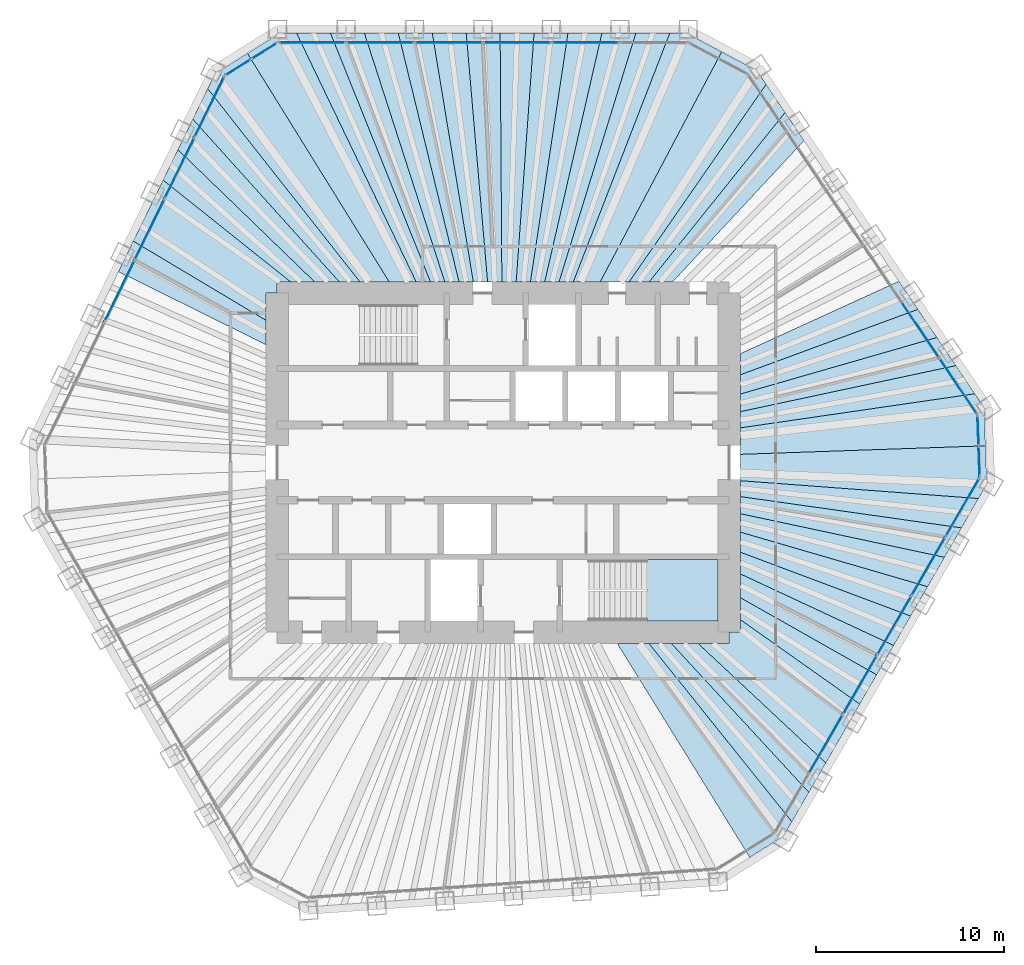
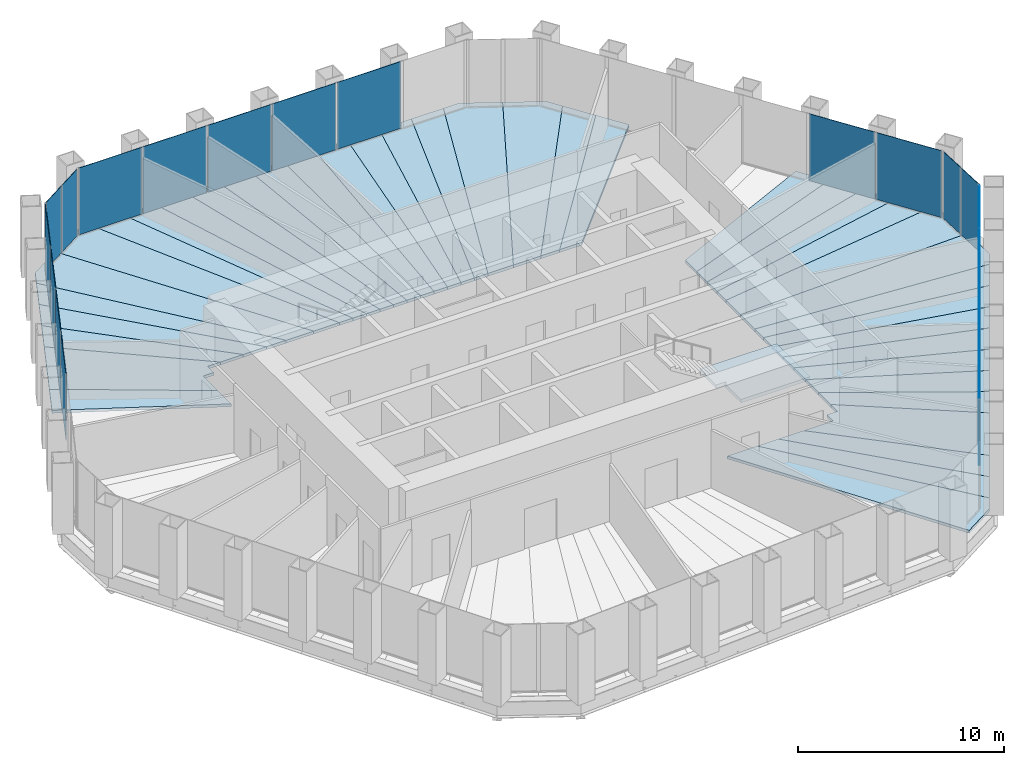
# One storey, part 9 of 14: 40 slabs, 20 plates, 7 elements without a shape of their own.
"""IFC4 building model written with IfcOpenShell, lengths in metres."""

from ifc_helpers import new_model, si_unit, direction, frame, origin, origin_2d, place, context, subcontext, project, spatial, polyline, rectangle, outline, extrude, material, layer, layer_set, type_object, element, aggregate, save


model = new_model("IFC4")

# Units and contexts
model_context = context("Model", 3, precision=1e-05, world=origin(), true_north=direction((0.0, 1.0)))
body_context = subcontext(model_context, "Body", "Model", "MODEL_VIEW")
ifc_project = project(units=[si_unit("LENGTHUNIT", "METRE"), si_unit("AREAUNIT", "SQUARE_METRE"), si_unit("VOLUMEUNIT", "CUBIC_METRE"), si_unit("PLANEANGLEUNIT", "RADIAN"), si_unit("MASSUNIT", "GRAM", prefix="KILO")], contexts=[model_context])

# Site, building, storey
site_placement = place(None, origin())
site = spatial("IfcSite", under=ifc_project, at=site_placement, CompositionType="ELEMENT")
building_placement = place(site_placement, origin())
building = spatial("IfcBuilding", under=site, at=building_placement, Name="Qingtian Harvest Tower", CompositionType="ELEMENT")
storey_placement = place(building_placement, frame((0.0, 0.0, 235.0)))
storey = spatial("IfcBuildingStorey", under=building, at=storey_placement, Name="L51", CompositionType="ELEMENT", Elevation=235.0)

# Slabs
ifc_material_1 = material(Name="Concrete fc' 35 MPa", Category="concrete")
ifc_layer_1 = layer(ifc_material_1, 0.169921875)
ifc_layer_set_1 = layer_set([ifc_layer_1], Name="Composite floor slab FS17 170")
slab_type_1 = type_object("IfcSlabType", Name="Composite floor slab FS17 170", PredefinedType="FLOOR", material=ifc_layer_set_1)
slab_1_placement = place(storey_placement, frame((0.0, 0.0, -0.169921875)))
element("IfcSlab", 1, at=slab_1_placement, inside=storey, type_object=slab_type_1, Name="Floor slab L51 panel D27", PredefinedType="FLOOR", context=body_context, shape_type="SweptSolid", body=[
    extrude(outline(polyline([(6.059326171875, -9.60009765625), (7.740966796875, -9.60009765625), (15.3271484375, -19.0625), (14.886962890625, -19.8251953125), (13.090576171875, -20.94775390625), (6.059326171875, -9.60009765625)])), origin(), (0.0, 0.0, 1.0), 0.169921875),
])
slab_2_placement = place(storey_placement, frame((0.0, 0.0, -0.169921875)))
element("IfcSlab", 2, at=slab_2_placement, inside=storey, type_object=slab_type_1, Name="Floor slab L51 panel D28", PredefinedType="FLOOR", context=body_context, shape_type="SweptSolid", body=[
    extrude(outline(polyline([(8.929443359375, -9.60009765625), (16.22802734375, -17.50244140625), (15.3271484375, -19.0625), (7.740966796875, -9.60009765625), (8.929443359375, -9.60009765625)])), origin(), (0.0, 0.0, 1.0), 0.169921875),
])
slab_3_placement = place(storey_placement, frame((0.0, 0.0, -0.169921875)))
element("IfcSlab", 3, at=slab_3_placement, inside=storey, type_object=slab_type_1, Name="Floor slab L51 panel D29", PredefinedType="FLOOR", context=body_context, shape_type="SweptSolid", body=[
    extrude(outline(polyline([(10.35205078125, -9.60009765625), (17.128662109375, -15.942138671875), (16.22802734375, -17.50244140625), (8.929443359375, -9.60009765625), (10.35205078125, -9.60009765625)])), origin(), (0.0, 0.0, 1.0), 0.169921875),
])
slab_4_placement = place(storey_placement, frame((0.0, 0.0, -0.169921875)))
element("IfcSlab", 4, at=slab_4_placement, inside=storey, type_object=slab_type_1, Name="Floor slab L51 panel D31", PredefinedType="FLOOR", context=body_context, shape_type="SweptSolid", body=[
    extrude(outline(polyline([(12.60009765625, -8.33984375), (18.931884765625, -12.819091796875), (17.128662109375, -15.942138671875), (10.35205078125, -9.60009765625), (12.0, -9.60009765625), (12.0, -9.0), (12.60009765625, -9.0), (12.60009765625, -8.33984375)])), origin(), (0.0, 0.0, 1.0), 0.169921875),
])
slab_5_placement = place(storey_placement, frame((0.0, 0.0, -0.169921875)))
element("IfcSlab", 5, at=slab_5_placement, inside=storey, type_object=slab_type_1, Name="Floor slab L51 panel D32", PredefinedType="FLOOR", context=body_context, shape_type="SweptSolid", body=[
    extrude(outline(polyline([(12.60009765625, -7.171142578125), (19.830322265625, -11.262939453125), (18.931884765625, -12.819091796875), (12.60009765625, -8.33984375), (12.60009765625, -7.171142578125)])), origin(), (0.0, 0.0, 1.0), 0.169921875),
])
slab_6_placement = place(storey_placement, frame((0.0, 0.0, -0.169921875)))
element("IfcSlab", 6, at=slab_6_placement, inside=storey, type_object=slab_type_1, Name="Floor slab L51 panel D33", PredefinedType="FLOOR", context=body_context, shape_type="SweptSolid", body=[
    extrude(outline(polyline([(12.60009765625, -5.91015625), (20.73095703125, -9.702880859375), (19.830322265625, -11.262939453125), (12.60009765625, -7.171142578125), (12.60009765625, -5.91015625)])), origin(), (0.0, 0.0, 1.0), 0.169921875),
])
slab_7_placement = place(storey_placement, frame((0.0, 0.0, -0.169921875)))
element("IfcSlab", 7, at=slab_7_placement, inside=storey, type_object=slab_type_1, Name="Floor slab L51 panel D34", PredefinedType="FLOOR", context=body_context, shape_type="SweptSolid", body=[
    extrude(outline(polyline([(12.60009765625, -4.75439453125), (21.6318359375, -8.142578125), (20.73095703125, -9.702880859375), (12.60009765625, -5.91015625), (12.60009765625, -4.75439453125)])), origin(), (0.0, 0.0, 1.0), 0.169921875),
])
slab_8_placement = place(storey_placement, frame((0.0, 0.0, -0.169921875)))
element("IfcSlab", 8, at=slab_8_placement, inside=storey, type_object=slab_type_1, Name="Floor slab L51 panel D35", PredefinedType="FLOOR", context=body_context, shape_type="SweptSolid", body=[
    extrude(outline(polyline([(12.60009765625, -3.691162109375), (22.532470703125, -6.58251953125), (21.6318359375, -8.142578125), (12.60009765625, -4.75439453125), (12.60009765625, -3.691162109375)])), origin(), (0.0, 0.0, 1.0), 0.169921875),
])
slab_9_placement = place(storey_placement, frame((0.0, 0.0, -0.169921875)))
element("IfcSlab", 9, at=slab_9_placement, inside=storey, type_object=slab_type_1, Name="Floor slab L51 panel D36", PredefinedType="FLOOR", context=body_context, shape_type="SweptSolid", body=[
    extrude(outline(polyline([(12.60009765625, -2.709716796875), (23.43310546875, -5.022705078125), (22.532470703125, -6.58251953125), (12.60009765625, -3.691162109375), (12.60009765625, -2.709716796875)])), origin(), (0.0, 0.0, 1.0), 0.169921875),
])
slab_10_placement = place(storey_placement, frame((0.0, 0.0, -0.169921875)))
element("IfcSlab", 10, at=slab_10_placement, inside=storey, type_object=slab_type_1, Name="Floor slab L51 panel D37", PredefinedType="FLOOR", context=body_context, shape_type="SweptSolid", body=[
    extrude(outline(polyline([(12.60009765625, -1.801025390625), (24.333740234375, -3.462646484375), (23.43310546875, -5.022705078125), (12.60009765625, -2.709716796875), (12.60009765625, -1.801025390625)])), origin(), (0.0, 0.0, 1.0), 0.169921875),
])
slab_11_placement = place(storey_placement, frame((0.0, 0.0, -0.169921875)))
element("IfcSlab", 11, at=slab_11_placement, inside=storey, type_object=slab_type_1, Name="Floor slab L51 panel D38", PredefinedType="FLOOR", context=body_context, shape_type="SweptSolid", body=[
    extrude(outline(polyline([(12.60009765625, -0.95703125), (25.234619140625, -1.902587890625), (24.333740234375, -3.462646484375), (12.60009765625, -1.801025390625), (12.60009765625, -0.95703125)])), origin(), (0.0, 0.0, 1.0), 0.169921875),
])
slab_12_placement = place(storey_placement, frame((0.0, 0.0, -0.169921875)))
element("IfcSlab", 12, at=slab_12_placement, inside=storey, type_object=slab_type_1, Name="Floor slab L51 panel D39", PredefinedType="FLOOR", context=body_context, shape_type="SweptSolid", body=[
    extrude(outline(polyline([(12.60009765625, -0.95703125), (12.60009765625, 0.442626953125), (25.603759765625, 0.89404296875), (25.6748046875, -1.139892578125), (25.234619140625, -1.902587890625), (12.60009765625, -0.95703125)])), origin(), (0.0, 0.0, 1.0), 0.169921875),
])
slab_13_placement = place(storey_placement, frame((0.0, 0.0, -0.169921875)))
element("IfcSlab", 13, at=slab_13_placement, inside=storey, type_object=slab_type_1, Name="Floor slab L51 panel D40", PredefinedType="FLOOR", context=body_context, shape_type="SweptSolid", body=[
    extrude(outline(polyline([(12.60009765625, 0.442626953125), (12.60009765625, 1.848876953125), (25.040283203125, 3.658203125), (25.53271484375, 2.92822265625), (25.603759765625, 0.89404296875), (12.60009765625, 0.442626953125)])), origin(), (0.0, 0.0, 1.0), 0.169921875),
])
slab_14_placement = place(storey_placement, frame((0.0, 0.0, -0.169921875)))
element("IfcSlab", 14, at=slab_14_placement, inside=storey, type_object=slab_type_1, Name="Floor slab L51 panel D41", PredefinedType="FLOOR", context=body_context, shape_type="SweptSolid", body=[
    extrude(outline(polyline([(12.60009765625, 2.710205078125), (24.032958984375, 5.151611328125), (25.040283203125, 3.658203125), (12.60009765625, 1.848876953125), (12.60009765625, 2.710205078125)])), origin(), (0.0, 0.0, 1.0), 0.169921875),
])
slab_15_placement = place(storey_placement, frame((0.0, 0.0, -0.169921875)))
element("IfcSlab", 15, at=slab_15_placement, inside=storey, type_object=slab_type_1, Name="Floor slab L51 panel D42", PredefinedType="FLOOR", context=body_context, shape_type="SweptSolid", body=[
    extrude(outline(polyline([(12.60009765625, 3.646728515625), (23.025634765625, 6.64501953125), (24.032958984375, 5.151611328125), (12.60009765625, 2.710205078125), (12.60009765625, 3.646728515625)])), origin(), (0.0, 0.0, 1.0), 0.169921875),
])
slab_16_placement = place(storey_placement, frame((0.0, 0.0, -0.169921875)))
element("IfcSlab", 16, at=slab_16_placement, inside=storey, type_object=slab_type_1, Name="Floor slab L51 panel D43", PredefinedType="FLOOR", context=body_context, shape_type="SweptSolid", body=[
    extrude(outline(polyline([(12.60009765625, 4.669189453125), (22.018310546875, 8.138427734375), (23.025634765625, 6.64501953125), (12.60009765625, 3.646728515625), (12.60009765625, 4.669189453125)])), origin(), (0.0, 0.0, 1.0), 0.169921875),
])
slab_17_placement = place(storey_placement, frame((0.0, 0.0, -0.169921875)))
element("IfcSlab", 17, at=slab_17_placement, inside=storey, type_object=slab_type_1, Name="Floor slab L51 panel D44", PredefinedType="FLOOR", context=body_context, shape_type="SweptSolid", body=[
    extrude(outline(polyline([(12.60009765625, 5.7900390625), (21.010986328125, 9.6318359375), (22.018310546875, 8.138427734375), (12.60009765625, 4.669189453125), (12.60009765625, 5.7900390625)])), origin(), (0.0, 0.0, 1.0), 0.169921875),
])
slab_18_placement = place(storey_placement, frame((0.0, 0.0, -0.169921875)))
element("IfcSlab", 18, at=slab_18_placement, inside=storey, type_object=slab_type_1, Name="Floor slab L51 panel D50", PredefinedType="FLOOR", context=body_context, shape_type="SweptSolid", body=[
    extrude(outline(polyline([(7.751220703125, 9.60009765625), (14.967529296875, 18.591796875), (15.974853515625, 17.098388671875), (8.998291015625, 9.60009765625), (7.751220703125, 9.60009765625)])), origin(), (0.0, 0.0, 1.0), 0.169921875),
])
slab_19_placement = place(storey_placement, frame((0.0, 0.0, -0.169921875)))
element("IfcSlab", 19, at=slab_19_placement, inside=storey, type_object=slab_type_1, Name="Floor slab L51 panel D51", PredefinedType="FLOOR", context=body_context, shape_type="SweptSolid", body=[
    extrude(outline(polyline([(6.6904296875, 9.60009765625), (13.960205078125, 20.085205078125), (14.967529296875, 18.591796875), (7.751220703125, 9.60009765625), (6.6904296875, 9.60009765625)])), origin(), (0.0, 0.0, 1.0), 0.169921875),
])
slab_20_placement = place(storey_placement, frame((0.0, 0.0, -0.169921875)))
element("IfcSlab", 20, at=slab_20_placement, inside=storey, type_object=slab_type_1, Name="Floor slab L51 panel D52", PredefinedType="FLOOR", context=body_context, shape_type="SweptSolid", body=[
    extrude(outline(polyline([(6.6904296875, 9.60009765625), (5.15185546875, 9.60009765625), (11.59716796875, 21.809814453125), (13.4677734375, 20.8154296875), (13.960205078125, 20.085205078125), (6.6904296875, 9.60009765625)])), origin(), (0.0, 0.0, 1.0), 0.169921875),
])
slab_21_placement = place(storey_placement, frame((0.0, 0.0, -0.169921875)))
element("IfcSlab", 21, at=slab_21_placement, inside=storey, type_object=slab_type_1, Name="Floor slab L51 panel D53", PredefinedType="FLOOR", context=body_context, shape_type="SweptSolid", body=[
    extrude(outline(polyline([(3.7236328125, 9.60009765625), (8.84521484375, 22.804931640625), (9.7255859375, 22.804931640625), (11.59716796875, 21.809814453125), (5.15185546875, 9.60009765625), (3.7236328125, 9.60009765625)])), origin(), (0.0, 0.0, 1.0), 0.169921875),
])
slab_22_placement = place(storey_placement, frame((0.0, 0.0, -0.169921875)))
element("IfcSlab", 22, at=slab_22_placement, inside=storey, type_object=slab_type_1, Name="Floor slab L51 panel D54", PredefinedType="FLOOR", context=body_context, shape_type="SweptSolid", body=[
    extrude(outline(polyline([(2.96533203125, 9.60009765625), (7.0439453125, 22.804931640625), (8.84521484375, 22.804931640625), (3.7236328125, 9.60009765625), (2.96533203125, 9.60009765625)])), origin(), (0.0, 0.0, 1.0), 0.169921875),
])
slab_23_placement = place(storey_placement, frame((0.0, 0.0, -0.169921875)))
element("IfcSlab", 23, at=slab_23_placement, inside=storey, type_object=slab_type_1, Name="Floor slab L51 panel D55", PredefinedType="FLOOR", context=body_context, shape_type="SweptSolid", body=[
    extrude(outline(polyline([(2.206787109375, 9.60009765625), (5.242431640625, 22.804931640625), (7.0439453125, 22.804931640625), (2.96533203125, 9.60009765625), (2.206787109375, 9.60009765625)])), origin(), (0.0, 0.0, 1.0), 0.169921875),
])
slab_24_placement = place(storey_placement, frame((0.0, 0.0, -0.169921875)))
element("IfcSlab", 24, at=slab_24_placement, inside=storey, type_object=slab_type_1, Name="Floor slab L51 panel D56", PredefinedType="FLOOR", context=body_context, shape_type="SweptSolid", body=[
    extrude(outline(polyline([(1.448486328125, 9.60009765625), (3.441162109375, 22.804931640625), (5.242431640625, 22.804931640625), (2.206787109375, 9.60009765625), (1.448486328125, 9.60009765625)])), origin(), (0.0, 0.0, 1.0), 0.169921875),
])
slab_25_placement = place(storey_placement, frame((0.0, 0.0, -0.169921875)))
element("IfcSlab", 25, at=slab_25_placement, inside=storey, type_object=slab_type_1, Name="Floor slab L51 panel D57", PredefinedType="FLOOR", context=body_context, shape_type="SweptSolid", body=[
    extrude(outline(polyline([(0.690185546875, 9.60009765625), (1.639892578125, 22.804931640625), (3.441162109375, 22.804931640625), (1.448486328125, 9.60009765625), (0.690185546875, 9.60009765625)])), origin(), (0.0, 0.0, 1.0), 0.169921875),
])
slab_26_placement = place(storey_placement, frame((0.0, 0.0, -0.169921875)))
element("IfcSlab", 26, at=slab_26_placement, inside=storey, type_object=slab_type_1, Name="Floor slab L51 panel D58", PredefinedType="FLOOR", context=body_context, shape_type="SweptSolid", body=[
    extrude(outline(polyline([(-0.068115234375, 9.60009765625), (-0.16162109375, 22.804931640625), (1.639892578125, 22.804931640625), (0.690185546875, 9.60009765625), (-0.068115234375, 9.60009765625)])), origin(), (0.0, 0.0, 1.0), 0.169921875),
])
slab_27_placement = place(storey_placement, frame((0.0, 0.0, -0.169921875)))
element("IfcSlab", 27, at=slab_27_placement, inside=storey, type_object=slab_type_1, Name="Floor slab L51 panel D59", PredefinedType="FLOOR", context=body_context, shape_type="SweptSolid", body=[
    extrude(outline(polyline([(-0.826416015625, 9.60009765625), (-1.962890625, 22.804931640625), (-0.16162109375, 22.804931640625), (-0.068115234375, 9.60009765625), (-0.826416015625, 9.60009765625)])), origin(), (0.0, 0.0, 1.0), 0.169921875),
])
slab_28_placement = place(storey_placement, frame((0.0, 0.0, -0.169921875)))
element("IfcSlab", 28, at=slab_28_placement, inside=storey, type_object=slab_type_1, Name="Floor slab L51 panel D60", PredefinedType="FLOOR", context=body_context, shape_type="SweptSolid", body=[
    extrude(outline(polyline([(-1.584716796875, 9.60009765625), (-3.764404296875, 22.804931640625), (-1.962890625, 22.804931640625), (-0.826416015625, 9.60009765625), (-1.584716796875, 9.60009765625)])), origin(), (0.0, 0.0, 1.0), 0.169921875),
])
slab_29_placement = place(storey_placement, frame((0.0, 0.0, -0.169921875)))
element("IfcSlab", 29, at=slab_29_placement, inside=storey, type_object=slab_type_1, Name="Floor slab L51 panel D61", PredefinedType="FLOOR", context=body_context, shape_type="SweptSolid", body=[
    extrude(outline(polyline([(-2.343017578125, 9.60009765625), (-5.565673828125, 22.804931640625), (-3.764404296875, 22.804931640625), (-1.584716796875, 9.60009765625), (-2.343017578125, 9.60009765625)])), origin(), (0.0, 0.0, 1.0), 0.169921875),
])
slab_30_placement = place(storey_placement, frame((0.0, 0.0, -0.169921875)))
element("IfcSlab", 30, at=slab_30_placement, inside=storey, type_object=slab_type_1, Name="Floor slab L51 panel D62", PredefinedType="FLOOR", context=body_context, shape_type="SweptSolid", body=[
    extrude(outline(polyline([(-3.101318359375, 9.60009765625), (-7.366943359375, 22.804931640625), (-5.565673828125, 22.804931640625), (-2.343017578125, 9.60009765625), (-3.101318359375, 9.60009765625)])), origin(), (0.0, 0.0, 1.0), 0.169921875),
])
slab_31_placement = place(storey_placement, frame((0.0, 0.0, -0.169921875)))
element("IfcSlab", 31, at=slab_31_placement, inside=storey, type_object=slab_type_1, Name="Floor slab L51 panel D63", PredefinedType="FLOOR", context=body_context, shape_type="SweptSolid", body=[
    extrude(outline(polyline([(-3.859619140625, 9.60009765625), (-9.16845703125, 22.804931640625), (-7.366943359375, 22.804931640625), (-3.101318359375, 9.60009765625), (-3.859619140625, 9.60009765625)])), origin(), (0.0, 0.0, 1.0), 0.169921875),
])
slab_32_placement = place(storey_placement, frame((0.0, 0.0, -0.169921875)))
element("IfcSlab", 32, at=slab_32_placement, inside=storey, type_object=slab_type_1, Name="Floor slab L51 panel D64", PredefinedType="FLOOR", context=body_context, shape_type="SweptSolid", body=[
    extrude(outline(polyline([(-4.617919921875, 9.60009765625), (-10.9697265625, 22.804931640625), (-9.16845703125, 22.804931640625), (-3.859619140625, 9.60009765625), (-4.617919921875, 9.60009765625)])), origin(), (0.0, 0.0, 1.0), 0.169921875),
])
slab_33_placement = place(storey_placement, frame((0.0, 0.0, -0.169921875)))
element("IfcSlab", 33, at=slab_33_placement, inside=storey, type_object=slab_type_1, Name="Floor slab L51 panel D65", PredefinedType="FLOOR", context=body_context, shape_type="SweptSolid", body=[
    extrude(outline(polyline([(-4.617919921875, 9.60009765625), (-6.050537109375, 9.60009765625), (-13.57666015625, 21.72607421875), (-11.85009765625, 22.804931640625), (-10.9697265625, 22.804931640625), (-4.617919921875, 9.60009765625)])), origin(), (0.0, 0.0, 1.0), 0.169921875),
])
slab_34_placement = place(storey_placement, frame((0.0, 0.0, -0.169921875)))
element("IfcSlab", 34, at=slab_34_placement, inside=storey, type_object=slab_type_1, Name="Floor slab L51 panel D66", PredefinedType="FLOOR", context=body_context, shape_type="SweptSolid", body=[
    extrude(outline(polyline([(-6.050537109375, 9.60009765625), (-7.60498046875, 9.60009765625), (-15.688232421875, 19.8564453125), (-15.30224609375, 20.64794921875), (-13.57666015625, 21.72607421875), (-6.050537109375, 9.60009765625)])), origin(), (0.0, 0.0, 1.0), 0.169921875),
])
slab_35_placement = place(storey_placement, frame((0.0, 0.0, -0.169921875)))
element("IfcSlab", 35, at=slab_35_placement, inside=storey, type_object=slab_type_1, Name="Floor slab L51 panel D67", PredefinedType="FLOOR", context=body_context, shape_type="SweptSolid", body=[
    extrude(outline(polyline([(-8.699951171875, 9.60009765625), (-16.47802734375, 18.2373046875), (-15.688232421875, 19.8564453125), (-7.60498046875, 9.60009765625), (-8.699951171875, 9.60009765625)])), origin(), (0.0, 0.0, 1.0), 0.169921875),
])
slab_36_placement = place(storey_placement, frame((0.0, 0.0, -0.169921875)))
element("IfcSlab", 36, at=slab_36_placement, inside=storey, type_object=slab_type_1, Name="Floor slab L51 panel D68", PredefinedType="FLOOR", context=body_context, shape_type="SweptSolid", body=[
    extrude(outline(polyline([(-10.009765625, 9.60009765625), (-17.267822265625, 16.6181640625), (-16.47802734375, 18.2373046875), (-8.699951171875, 9.60009765625), (-10.009765625, 9.60009765625)])), origin(), (0.0, 0.0, 1.0), 0.169921875),
])
slab_37_placement = place(storey_placement, frame((0.0, 0.0, -0.169921875)))
element("IfcSlab", 37, at=slab_37_placement, inside=storey, type_object=slab_type_1, Name="Floor slab L51 panel D69", PredefinedType="FLOOR", context=body_context, shape_type="SweptSolid", body=[
    extrude(outline(polyline([(-11.28759765625, 9.60009765625), (-18.055419921875, 15.003173828125), (-17.267822265625, 16.6181640625), (-10.009765625, 9.60009765625), (-11.28759765625, 9.60009765625)])), origin(), (0.0, 0.0, 1.0), 0.169921875),
])
slab_38_placement = place(storey_placement, frame((0.0, 0.0, -0.169921875)))
element("IfcSlab", 38, at=slab_38_placement, inside=storey, type_object=slab_type_1, Name="Floor slab L51 panel D70", PredefinedType="FLOOR", context=body_context, shape_type="SweptSolid", body=[
    extrude(outline(polyline([(-12.0, 9.0), (-12.60009765625, 9.0), (-12.60009765625, 7.560302734375), (-19.636474609375, 11.761474609375), (-18.055419921875, 15.003173828125), (-11.28759765625, 9.60009765625), (-12.0, 9.60009765625), (-12.0, 9.0)])), origin(), (0.0, 0.0, 1.0), 0.169921875),
])
slab_39_placement = place(storey_placement, frame((0.0, 0.0, -0.169921875)))
element("IfcSlab", 39, at=slab_39_placement, inside=storey, type_object=slab_type_1, Name="Floor slab L51 panel D72", PredefinedType="FLOOR", context=body_context, shape_type="SweptSolid", body=[
    extrude(outline(polyline([(-12.60009765625, 6.268310546875), (-20.426025390625, 10.142578125), (-19.636474609375, 11.761474609375), (-12.60009765625, 7.560302734375), (-12.60009765625, 6.268310546875)])), origin(), (0.0, 0.0, 1.0), 0.169921875),
])

# Curtain wall, plates
ifc_material_2 = material(Name="Bronze-anodised aluminium curtain wall", Category="aluminium")
curtain_wall_type = type_object("IfcCurtainWallType", Name="Curtain wall CW4 office", PredefinedType="USERDEFINED", material=ifc_material_2)
curtain_wall_1_placement = place(storey_placement, origin())
curtain_wall_1 = element("IfcCurtainWall", 40, at=curtain_wall_1_placement, inside=storey, type_object=curtain_wall_type, Name="Curtain wall CW4 L51 N0-5", ObjectType="RECESSED CURTAIN WALL", PredefinedType="USERDEFINED")
ifc_material_3 = material(Name="Bronze-tinted laminated insulating glass", Category="glass")
ifc_layer_2 = layer(ifc_material_3, 0.030029296875)
ifc_layer_set_2 = layer_set([ifc_layer_2], Name="Glazed panel CWP tinted IGU")
plate_type = type_object("IfcPlateType", Name="Glazed panel CWP tinted IGU", PredefinedType="CURTAIN_PANEL", material=ifc_layer_set_2)
plate_1_placement = place(storey_placement, frame((-10.138916015625, 22.300048828125, 0.06494140625), z_axis=(0.0, 0.0, 1.0), x_axis=(1.0, 0.0, 0.0)))
plate_1 = element("IfcPlate", 41, at=plate_1_placement, type_object=plate_type, Name="CW4 panel 1.1", PredefinedType="CURTAIN_PANEL", context=body_context, shape_type="SweptSolid", body=[
    extrude(rectangle(XDim=3.5361328125, YDim=0.030029296875, at=origin_2d()), origin(), (0.0, 0.0, 1.0), 3.965087890625),
])
plate_2_placement = place(storey_placement, frame((-6.521728515625, 22.300048828125, 0.06494140625), z_axis=(0.0, 0.0, 1.0), x_axis=(1.0, 0.0, 0.0)))
plate_2 = element("IfcPlate", 42, at=plate_2_placement, type_object=plate_type, Name="CW4 panel 2.1", PredefinedType="CURTAIN_PANEL", context=body_context, shape_type="SweptSolid", body=[
    extrude(rectangle(XDim=3.568603515625, YDim=0.030029296875, at=origin_2d()), origin(), (0.0, 0.0, 1.0), 3.965087890625),
])
plate_3_placement = place(storey_placement, frame((-2.88818359375, 22.300048828125, 0.06494140625), z_axis=(0.0, 0.0, 1.0), x_axis=(1.0, 0.0, 0.0)))
plate_3 = element("IfcPlate", 43, at=plate_3_placement, type_object=plate_type, Name="CW4 panel 3.1", PredefinedType="CURTAIN_PANEL", context=body_context, shape_type="SweptSolid", body=[
    extrude(rectangle(XDim=3.568603515625, YDim=0.030029296875, at=origin_2d()), origin(), (0.0, 0.0, 1.0), 3.965087890625),
])
plate_4_placement = place(storey_placement, frame((0.745361328125, 22.300048828125, 0.06494140625), z_axis=(0.0, 0.0, 1.0), x_axis=(1.0, 0.0, 0.0)))
plate_4 = element("IfcPlate", 44, at=plate_4_placement, type_object=plate_type, Name="CW4 panel 4.1", PredefinedType="CURTAIN_PANEL", context=body_context, shape_type="SweptSolid", body=[
    extrude(rectangle(XDim=3.568603515625, YDim=0.030029296875, at=origin_2d()), origin(), (0.0, 0.0, 1.0), 3.965087890625),
])
plate_5_placement = place(storey_placement, frame((4.37890625, 22.300048828125, 0.06494140625), z_axis=(0.0, 0.0, 1.0), x_axis=(1.0, 0.0, 0.0)))
plate_5 = element("IfcPlate", 45, at=plate_5_placement, type_object=plate_type, Name="CW4 panel 5.1", PredefinedType="CURTAIN_PANEL", context=body_context, shape_type="SweptSolid", body=[
    extrude(rectangle(XDim=3.568603515625, YDim=0.030029296875, at=origin_2d()), origin(), (0.0, 0.0, 1.0), 3.965087890625),
])
aggregate(curtain_wall_1, [plate_1, plate_2, plate_3, plate_4, plate_5])

curtain_wall_2_placement = place(storey_placement, origin())
curtain_wall_2 = element("IfcCurtainWall", 46, at=curtain_wall_2_placement, inside=storey, type_object=curtain_wall_type, Name="Curtain wall CW4 L51 NE0-5", ObjectType="RECESSED CURTAIN WALL", PredefinedType="USERDEFINED")
plate_6_placement = place(storey_placement, frame((22.134521484375, 7.063232421875, 0.06494140625), z_axis=(0.0, 0.0, 1.0), x_axis=(0.559192903471, -0.829037572555, 0.0)))
plate_6 = element("IfcPlate", 47, at=plate_6_placement, type_object=plate_type, Name="CW4 panel 5.1", PredefinedType="CURTAIN_PANEL", context=body_context, shape_type="SweptSolid", body=[
    extrude(rectangle(XDim=3.568603515625, YDim=0.030029296875, at=origin_2d()), origin(), (0.0, 0.0, 1.0), 3.965087890625),
])
plate_7_placement = place(storey_placement, frame((24.1572265625, 4.064453125, 0.06494140625), z_axis=(0.0, 0.0, 1.0), x_axis=(0.559192903471, -0.829037572555, 0.0)))
plate_7 = element("IfcPlate", 48, at=plate_7_placement, type_object=plate_type, Name="CW4 panel 6.1", PredefinedType="CURTAIN_PANEL", context=body_context, shape_type="SweptSolid", body=[
    extrude(rectangle(XDim=3.5361328125, YDim=0.030029296875, at=origin_2d()), origin(), (0.0, 0.0, 1.0), 3.965087890625),
])
aggregate(curtain_wall_2, [plate_6, plate_7])

curtain_wall_3_placement = place(storey_placement, origin())
curtain_wall_3 = element("IfcCurtainWall", 49, at=curtain_wall_3_placement, inside=storey, type_object=curtain_wall_type, Name="Curtain wall CW4 L51 NEC", ObjectType="RECESSED CURTAIN WALL", PredefinedType="USERDEFINED")
plate_8_placement = place(storey_placement, frame((25.2119140625, 1.69677734375, 0.06494140625), z_axis=(0.0, 0.0, 1.0), x_axis=(0.034899496703, -0.999390827019, 0.0)))
plate_8 = element("IfcPlate", 50, at=plate_8_placement, type_object=plate_type, Name="CW4 panel 1.1", PredefinedType="CURTAIN_PANEL", context=body_context, shape_type="SweptSolid", body=[
    extrude(rectangle(XDim=1.56689453125, YDim=0.030029296875, at=origin_2d()), origin(), (0.0, 0.0, 1.0), 3.965087890625),
])
plate_9_placement = place(storey_placement, frame((25.268798828125, 0.06591796875, 0.06494140625), z_axis=(0.0, 0.0, 1.0), x_axis=(0.034899496703, -0.999390827019, 0.0)))
plate_9 = element("IfcPlate", 51, at=plate_9_placement, type_object=plate_type, Name="CW4 panel 2.1", PredefinedType="CURTAIN_PANEL", context=body_context, shape_type="SweptSolid", body=[
    extrude(rectangle(XDim=1.56689453125, YDim=0.030029296875, at=origin_2d()), origin(), (0.0, 0.0, 1.0), 3.965087890625),
])
aggregate(curtain_wall_3, [plate_8, plate_9])

curtain_wall_4_placement = place(storey_placement, origin())
curtain_wall_4 = element("IfcCurtainWall", 52, at=curtain_wall_4_placement, inside=storey, type_object=curtain_wall_type, Name="Curtain wall CW4 L51 SE0-5", ObjectType="RECESSED CURTAIN WALL", PredefinedType="USERDEFINED")
plate_10_placement = place(storey_placement, frame((24.3818359375, -2.369384765625, 0.06494140625), z_axis=(0.0, 0.0, 1.0), x_axis=(-0.5, -0.866025403784, 0.0)))
plate_10 = element("IfcPlate", 53, at=plate_10_placement, type_object=plate_type, Name="CW4 panel 1.1", PredefinedType="CURTAIN_PANEL", context=body_context, shape_type="SweptSolid", body=[
    extrude(rectangle(XDim=3.5361328125, YDim=0.030029296875, at=origin_2d()), origin(), (0.0, 0.0, 1.0), 3.965087890625),
])
plate_11_placement = place(storey_placement, frame((22.5732421875, -5.501953125, 0.06494140625), z_axis=(0.0, 0.0, 1.0), x_axis=(-0.5, -0.866025403784, 0.0)))
plate_11 = element("IfcPlate", 54, at=plate_11_placement, type_object=plate_type, Name="CW4 panel 2.1", PredefinedType="CURTAIN_PANEL", context=body_context, shape_type="SweptSolid", body=[
    extrude(rectangle(XDim=3.568603515625, YDim=0.030029296875, at=origin_2d()), origin(), (0.0, 0.0, 1.0), 3.965087890625),
])
plate_12_placement = place(storey_placement, frame((20.75634765625, -8.64892578125, 0.06494140625), z_axis=(0.0, 0.0, 1.0), x_axis=(-0.5, -0.866025403784, 0.0)))
plate_12 = element("IfcPlate", 55, at=plate_12_placement, type_object=plate_type, Name="CW4 panel 3.1", PredefinedType="CURTAIN_PANEL", context=body_context, shape_type="SweptSolid", body=[
    extrude(rectangle(XDim=3.568603515625, YDim=0.030029296875, at=origin_2d()), origin(), (0.0, 0.0, 1.0), 3.965087890625),
])
plate_13_placement = place(storey_placement, frame((18.939697265625, -11.795654296875, 0.06494140625), z_axis=(0.0, 0.0, 1.0), x_axis=(-0.5, -0.866025403784, 0.0)))
plate_13 = element("IfcPlate", 56, at=plate_13_placement, type_object=plate_type, Name="CW4 panel 4.1", PredefinedType="CURTAIN_PANEL", context=body_context, shape_type="SweptSolid", body=[
    extrude(rectangle(XDim=3.568603515625, YDim=0.030029296875, at=origin_2d()), origin(), (0.0, 0.0, 1.0), 3.965087890625),
])
plate_14_placement = place(storey_placement, frame((17.122802734375, -14.9423828125, 0.06494140625), z_axis=(0.0, 0.0, 1.0), x_axis=(-0.5, -0.866025403784, 0.0)))
plate_14 = element("IfcPlate", 57, at=plate_14_placement, type_object=plate_type, Name="CW4 panel 5.1", PredefinedType="CURTAIN_PANEL", context=body_context, shape_type="SweptSolid", body=[
    extrude(rectangle(XDim=3.568603515625, YDim=0.030029296875, at=origin_2d()), origin(), (0.0, 0.0, 1.0), 3.965087890625),
])
aggregate(curtain_wall_4, [plate_10, plate_11, plate_12, plate_13, plate_14])

curtain_wall_5_placement = place(storey_placement, origin())
curtain_wall_5 = element("IfcCurtainWall", 58, at=curtain_wall_5_placement, inside=storey, type_object=curtain_wall_type, Name="Curtain wall CW4 L51 NW0-5", ObjectType="RECESSED CURTAIN WALL", PredefinedType="USERDEFINED")
plate_15_placement = place(storey_placement, frame((-20.369873046875, 9.105712890625, 0.06494140625), z_axis=(0.0, 0.0, 1.0), x_axis=(0.438371146789, 0.898794046299, 0.0)))
plate_15 = element("IfcPlate", 59, at=plate_15_placement, type_object=plate_type, Name="CW4 panel 3.1", PredefinedType="CURTAIN_PANEL", context=body_context, shape_type="SweptSolid", body=[
    extrude(rectangle(XDim=3.568603515625, YDim=0.030029296875, at=origin_2d()), origin(), (0.0, 0.0, 1.0), 3.965087890625),
])
plate_16_placement = place(storey_placement, frame((-18.777099609375, 12.37158203125, 0.06494140625), z_axis=(0.0, 0.0, 1.0), x_axis=(0.438371146789, 0.898794046299, 0.0)))
plate_16 = element("IfcPlate", 60, at=plate_16_placement, type_object=plate_type, Name="CW4 panel 4.1", PredefinedType="CURTAIN_PANEL", context=body_context, shape_type="SweptSolid", body=[
    extrude(rectangle(XDim=3.568603515625, YDim=0.030029296875, at=origin_2d()), origin(), (0.0, 0.0, 1.0), 3.965087890625),
])
plate_17_placement = place(storey_placement, frame((-17.18408203125, 15.63720703125, 0.06494140625), z_axis=(0.0, 0.0, 1.0), x_axis=(0.438371146789, 0.898794046299, 0.0)))
plate_17 = element("IfcPlate", 61, at=plate_17_placement, type_object=plate_type, Name="CW4 panel 5.1", PredefinedType="CURTAIN_PANEL", context=body_context, shape_type="SweptSolid", body=[
    extrude(rectangle(XDim=3.568603515625, YDim=0.030029296875, at=origin_2d()), origin(), (0.0, 0.0, 1.0), 3.965087890625),
])
plate_18_placement = place(storey_placement, frame((-15.598388671875, 18.888427734375, 0.06494140625), z_axis=(0.0, 0.0, 1.0), x_axis=(0.438371146789, 0.898794046299, 0.0)))
plate_18 = element("IfcPlate", 62, at=plate_18_placement, type_object=plate_type, Name="CW4 panel 6.1", PredefinedType="CURTAIN_PANEL", context=body_context, shape_type="SweptSolid", body=[
    extrude(rectangle(XDim=3.5361328125, YDim=0.030029296875, at=origin_2d()), origin(), (0.0, 0.0, 1.0), 3.965087890625),
])
aggregate(curtain_wall_5, [plate_15, plate_16, plate_17, plate_18])

curtain_wall_6_placement = place(storey_placement, origin())
curtain_wall_6 = element("IfcCurtainWall", 63, at=curtain_wall_6_placement, inside=storey, type_object=curtain_wall_type, Name="Curtain wall CW4 L51 NWC", ObjectType="RECESSED CURTAIN WALL", PredefinedType="USERDEFINED")
plate_19_placement = place(storey_placement, frame((-14.075439453125, 20.985595703125, 0.06494140625), z_axis=(0.0, 0.0, 1.0), x_axis=(0.848048096156, 0.529919264233, 0.0)))
plate_19 = element("IfcPlate", 64, at=plate_19_placement, type_object=plate_type, Name="CW4 panel 1.1", PredefinedType="CURTAIN_PANEL", context=body_context, shape_type="SweptSolid", body=[
    extrude(rectangle(XDim=1.56689453125, YDim=0.030029296875, at=origin_2d()), origin(), (0.0, 0.0, 1.0), 3.965087890625),
])
plate_20_placement = place(storey_placement, frame((-12.69140625, 21.850341796875, 0.06494140625), z_axis=(0.0, 0.0, 1.0), x_axis=(0.848048096156, 0.529919264233, 0.0)))
plate_20 = element("IfcPlate", 65, at=plate_20_placement, type_object=plate_type, Name="CW4 panel 2.1", PredefinedType="CURTAIN_PANEL", context=body_context, shape_type="SweptSolid", body=[
    extrude(rectangle(XDim=1.56689453125, YDim=0.030029296875, at=origin_2d()), origin(), (0.0, 0.0, 1.0), 3.965087890625),
])
aggregate(curtain_wall_6, [plate_19, plate_20])

# Stair, slab
ifc_material_4 = material(Name="Concrete fc' 35 MPa", Category="concrete")
stair_type = type_object("IfcStairType", Name="Special stair ST4 4200", PredefinedType="HALF_TURN_STAIR", material=ifc_material_4)
stair_placement = place(storey_placement, origin())
stair = element("IfcStair", 66, at=stair_placement, inside=storey, type_object=stair_type, Name="Special stair S2 L51", PredefinedType="HALF_TURN_STAIR")
ifc_material_5 = material(Name="Concrete fc' 35 MPa", Category="concrete")
ifc_layer_3 = layer(ifc_material_5, 0.199951171875)
ifc_layer_set_3 = layer_set([ifc_layer_3], Name="Stair landing SL2 200")
slab_type_2 = type_object("IfcSlabType", Name="Stair landing SL2 200", PredefinedType="LANDING", material=ifc_layer_set_3)
slab_40_placement = place(storey_placement, frame((0.0, 0.0, 1.89990234375)))
slab_40 = element("IfcSlab", 67, at=slab_40_placement, type_object=slab_type_2, Name="S2 landing 2", PredefinedType="LANDING", context=body_context, shape_type="SweptSolid", body=[
    extrude(outline(polyline([(7.530029296875, -8.39990234375), (7.530029296875, -6.824951171875), (7.6298828125, -6.824951171875), (7.6298828125, -6.72509765625), (7.094970703125, -6.72509765625), (7.094970703125, -5.14990234375), (11.39990234375, -5.14990234375), (11.39990234375, -8.39990234375), (7.530029296875, -8.39990234375)])), origin(), (0.0, 0.0, 1.0), 0.2001953125),
])
aggregate(stair, [slab_40])

save(model, "model.ifc")
